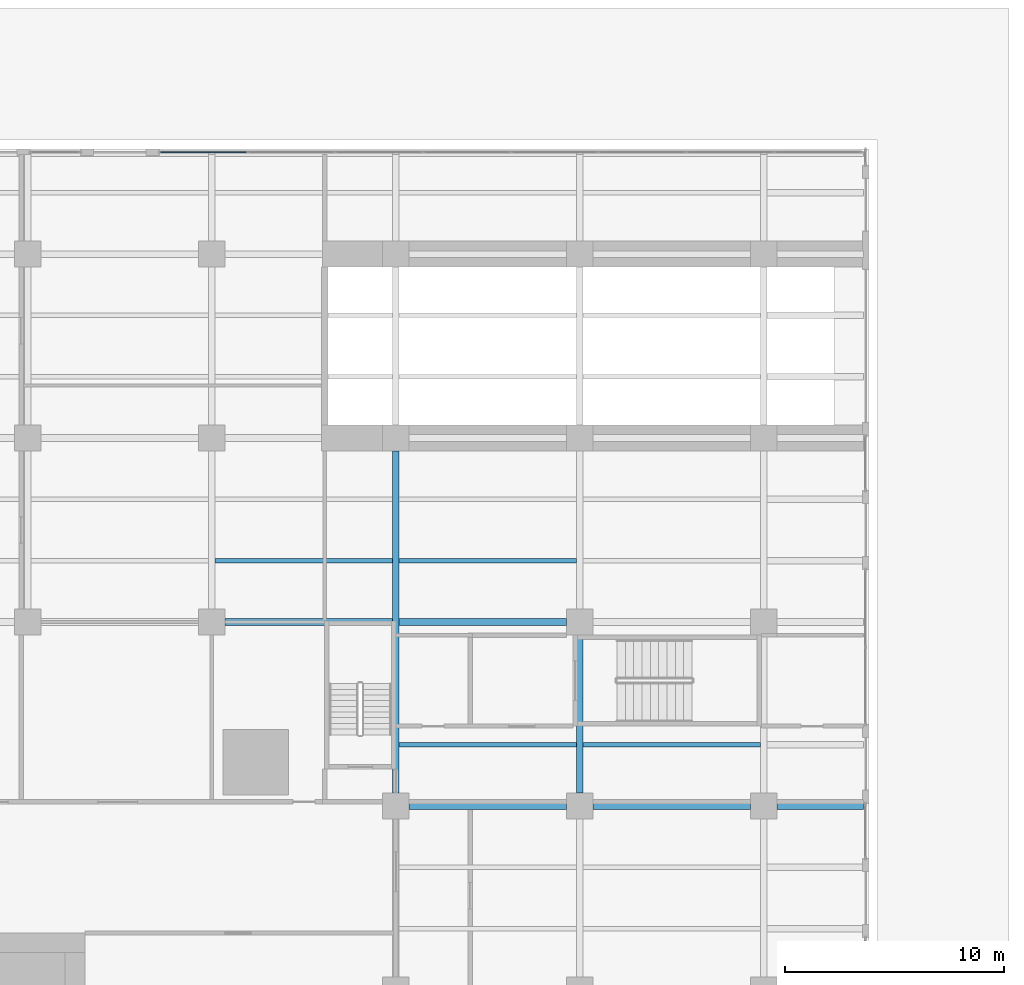
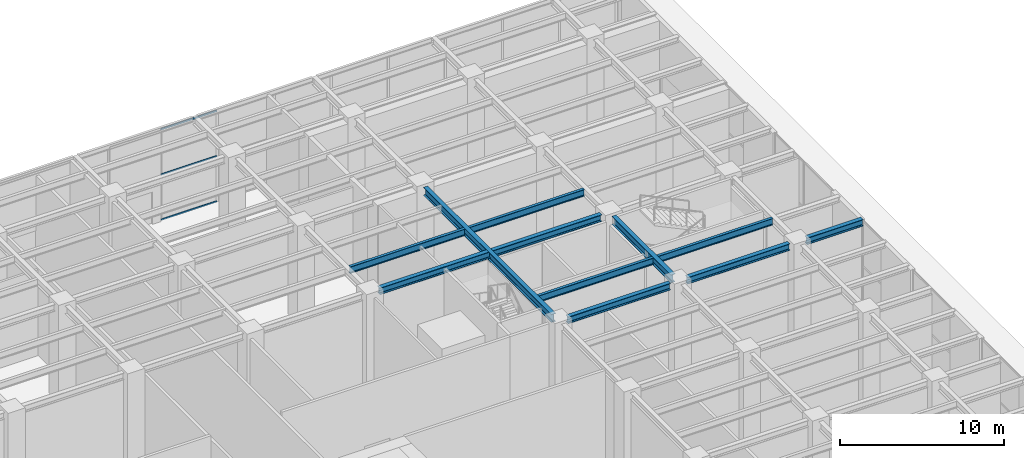
# One storey, part 20 of 43: 10 beams, 3 members, 1 element without a shape of its own.
"""IFC4 building model written with IfcOpenShell, lengths in metres."""

from ifc_helpers import new_model, si_unit, direction, frame, origin, origin_2d, place, context, subcontext, project, spatial, rectangle, i_section, extrude, material, material_profile, profile_set, type_object, element, aggregate, save


model = new_model("IFC4")

# Units and contexts
model_context = context("Model", 3, precision=1e-05, world=origin(), true_north=direction((0.0, 1.0)))
body_context = subcontext(model_context, "Body", "Model", "MODEL_VIEW")
ifc_project = project(units=[si_unit("LENGTHUNIT", "METRE"), si_unit("AREAUNIT", "SQUARE_METRE"), si_unit("VOLUMEUNIT", "CUBIC_METRE"), si_unit("PLANEANGLEUNIT", "RADIAN"), si_unit("MASSUNIT", "GRAM", prefix="KILO")], contexts=[model_context])

# Site, building, storey
site_placement = place(None, origin())
site = spatial("IfcSite", under=ifc_project, at=site_placement, CompositionType="ELEMENT")
building_placement = place(site_placement, origin())
building = spatial("IfcBuilding", under=site, at=building_placement, Name="Khepri Terraces", CompositionType="ELEMENT")
storey_placement = place(building_placement, origin())
storey = spatial("IfcBuildingStorey", under=building, at=storey_placement, Name="L00", CompositionType="ELEMENT", Elevation=0.0)

# Curtain wall, members
ifc_material_1 = material(Name="Anodised aluminium bronze curtain wall", Category="aluminium")
curtain_wall_type = type_object("IfcCurtainWallType", Name="CW-SYS1-LOBBY", PredefinedType="NOTDEFINED", material=ifc_material_1)
curtain_wall_placement = place(storey_placement, origin())
curtain_wall = element("IfcCurtainWall", 1, at=curtain_wall_placement, inside=storey, type_object=curtain_wall_type, Name="Curtain wall CW1 L00 N", PredefinedType="NOTDEFINED")
ifc_material_2 = material(Name="Anodised aluminium bronze", Category="aluminium")
ifc_material_profile_1 = material_profile(ifc_material_2, rectangle(XDim=0.06005859375, YDim=0.1201171875, at=origin_2d()), Name="Anodised aluminium bronze", Category="aluminium")
ifc_profile_set_1 = profile_set([ifc_material_profile_1], Name="Anodised aluminium bronze")
member_type = type_object("IfcMemberType", Name="CW-TRANSOM-60x120", PredefinedType="USERDEFINED", material=ifc_profile_set_1)
member_1_placement = place(storey_placement, frame((18.382568359375, 46.64990234375, 0.030029296875), z_axis=(-1.0, 0.0, 0.0), x_axis=(0.0, -1.0, 0.0)))
member_1 = element("IfcMember", 2, at=member_1_placement, type_object=member_type, Name="CW1 transom 8.1", ObjectType="TRANSOM", PredefinedType="USERDEFINED", context=body_context, shape_type="SweptSolid", body=[
    extrude(rectangle(XDim=0.06005859375, YDim=0.1201171875, at=origin_2d()), origin(), (0.0, 0.0, 1.0), 3.922607421875),
])
member_2_placement = place(storey_placement, frame((18.382568359375, 46.64990234375, 3.389892578125), z_axis=(-1.0, 0.0, 0.0), x_axis=(0.0, -1.0, 0.0)))
member_2 = element("IfcMember", 3, at=member_2_placement, type_object=member_type, Name="CW1 transom 8.2", ObjectType="TRANSOM", PredefinedType="USERDEFINED", context=body_context, shape_type="SweptSolid", body=[
    extrude(rectangle(XDim=0.06005859375, YDim=0.1201171875, at=origin_2d()), origin(), (0.0, 0.0, 1.0), 3.922607421875),
])
member_3_placement = place(storey_placement, frame((18.382568359375, 46.64990234375, 6.75), z_axis=(-1.0, 0.0, 0.0), x_axis=(0.0, -1.0, 0.0)))
member_3 = element("IfcMember", 4, at=member_3_placement, type_object=member_type, Name="CW1 transom 8.3", ObjectType="TRANSOM", PredefinedType="USERDEFINED", context=body_context, shape_type="SweptSolid", body=[
    extrude(rectangle(XDim=0.06005859375, YDim=0.1201171875, at=origin_2d()), origin(), (0.0, 0.0, 1.0), 3.922607421875),
])
aggregate(curtain_wall, [member_1, member_2, member_3])

# Beams
ifc_material_3 = material(Name="Steel S355", Category="steel")
ifc_material_profile_2 = material_profile(ifc_material_3, i_section(OverallWidth=0.300048828125, OverallDepth=0.60009765625, WebThickness=0.015380859375, FlangeThickness=0.030029296875, FilletRadius=0.027099609375, at=origin_2d()), Name="Steel S355", Category="steel")
ifc_profile_set_2 = profile_set([ifc_material_profile_2], Name="Steel S355")
beam_type_1 = type_object("IfcBeamType", Name="Podium girder L01 HEB 600", PredefinedType="BEAM", material=ifc_profile_set_2)
beam_1_placement = place(storey_placement, frame((25.199951171875, 17.39990234375, 6.699951171875), z_axis=(0.0, 1.0, 0.0), x_axis=(-1.0, 0.0, 0.0)))
element("IfcBeam", 5, at=beam_1_placement, inside=storey, type_object=beam_type_1, Name="Podium girder L01 072", PredefinedType="BEAM", context=body_context, shape_type="SweptSolid", body=[
    extrude(i_section(OverallWidth=0.300048828125, OverallDepth=0.60009765625, WebThickness=0.015380859375, FlangeThickness=0.030029296875, FilletRadius=0.027099609375, at=origin_2d()), origin(), (0.0, 0.0, 1.0), 15.60009765625),
])
beam_2_placement = place(storey_placement, frame((33.60009765625, 17.39990234375, 6.699951171875), z_axis=(0.0, 1.0, 0.0), x_axis=(-1.0, 0.0, 0.0)))
element("IfcBeam", 6, at=beam_2_placement, inside=storey, type_object=beam_type_1, Name="Podium girder L01 083", PredefinedType="BEAM", context=body_context, shape_type="SweptSolid", body=[
    extrude(i_section(OverallWidth=0.300048828125, OverallDepth=0.60009765625, WebThickness=0.015380859375, FlangeThickness=0.030029296875, FilletRadius=0.027099609375, at=origin_2d()), origin(), (0.0, 0.0, 1.0), 7.2001953125),
])
ifc_material_profile_3 = material_profile(ifc_material_3, i_section(OverallWidth=0.300048828125, OverallDepth=0.5, WebThickness=0.014404296875, FlangeThickness=0.028076171875, FilletRadius=0.027099609375, at=origin_2d()), Name="Steel S355", Category="steel")
ifc_profile_set_3 = profile_set([ifc_material_profile_3], Name="Steel S355")
beam_type_2 = type_object("IfcBeamType", Name="Podium girder L01 grid line HEB 500", PredefinedType="BEAM", material=ifc_profile_set_3)
for number, where, z_axis, x_axis, name in (
    (7, (25.800048828125, 16.800048828125, 6.75), (1.0, 0.0, 0.0), (0.0, 1.0, 0.0), "Podium grid-line girder L01 176"),
    (8, (34.199951171875, 16.800048828125, 6.75), (1.0, 0.0, 0.0), (0.0, 1.0, 0.0), "Podium grid-line girder L01 177"),
):
    element("IfcBeam", number, at=place(storey_placement, frame(where, z_axis=z_axis, x_axis=x_axis)), inside=storey, type_object=beam_type_2, Name=name, PredefinedType="BEAM", context=body_context, shape_type="SweptSolid", body=[
        extrude(i_section(OverallWidth=0.300048828125, OverallDepth=0.5, WebThickness=0.014404296875, FlangeThickness=0.028076171875, FilletRadius=0.027099609375, at=origin_2d()), origin(), (0.0, 0.0, 1.0), 7.199951171875),
    ])
beam_3_placement = place(storey_placement, frame((42.60009765625, 16.800048828125, 6.75), z_axis=(1.0, 0.0, 0.0), x_axis=(0.0, 1.0, 0.0)))
element("IfcBeam", 9, at=beam_3_placement, inside=storey, type_object=beam_type_2, Name="Podium grid-line girder L01 178", PredefinedType="BEAM", context=body_context, shape_type="SweptSolid", body=[
    extrude(i_section(OverallWidth=0.300048828125, OverallDepth=0.5, WebThickness=0.014404296875, FlangeThickness=0.028076171875, FilletRadius=0.027099609375, at=origin_2d()), origin(), (0.0, 0.0, 1.0), 3.949951171875),
])
beam_4_placement = place(storey_placement, frame((17.39990234375, 25.199951171875, 6.75), z_axis=(1.0, 0.0, 0.0), x_axis=(0.0, 1.0, 0.0)))
element("IfcBeam", 10, at=beam_4_placement, inside=storey, type_object=beam_type_2, Name="Podium grid-line girder L01 192", PredefinedType="BEAM", context=body_context, shape_type="SweptSolid", body=[
    extrude(i_section(OverallWidth=0.300048828125, OverallDepth=0.5, WebThickness=0.014404296875, FlangeThickness=0.028076171875, FilletRadius=0.027099609375, at=origin_2d()), origin(), (0.0, 0.0, 1.0), 15.60009765625),
])
ifc_material_profile_4 = material_profile(ifc_material_3, i_section(OverallWidth=0.199951171875, OverallDepth=0.5, WebThickness=0.01025390625, FlangeThickness=0.01611328125, FilletRadius=0.02099609375, at=origin_2d()), Name="Steel S355", Category="steel")
ifc_profile_set_4 = profile_set([ifc_material_profile_4], Name="Steel S355")
beam_type_3 = type_object("IfcBeamType", Name="Podium joist L01 IPE 500", PredefinedType="JOIST", material=ifc_profile_set_4)
beam_5_placement = place(storey_placement, frame((25.35009765625, 19.60009765625, 6.75), z_axis=(1.0, 0.0, 0.0), x_axis=(0.0, 1.0, 0.0)))
element("IfcBeam", 11, at=beam_5_placement, inside=storey, type_object=beam_type_3, Name="Podium joist L01 182", PredefinedType="JOIST", context=body_context, shape_type="SweptSolid", body=[
    extrude(i_section(OverallWidth=0.199951171875, OverallDepth=0.5, WebThickness=0.01025390625, FlangeThickness=0.01611328125, FilletRadius=0.02099609375, at=origin_2d()), origin(), (0.0, 0.0, 1.0), 8.099853515625),
])
for number, where, z_axis, x_axis, name in (
    (12, (33.75, 19.60009765625, 6.75), (1.0, 0.0, 0.0), (0.0, 1.0, 0.0), "Podium joist L01 183"),
    (13, (16.949951171875, 28.0, 6.75), (1.0, 0.0, 0.0), (0.0, 1.0, 0.0), "Podium joist L01 203"),
):
    element("IfcBeam", number, at=place(storey_placement, frame(where, z_axis=z_axis, x_axis=x_axis)), inside=storey, type_object=beam_type_3, Name=name, PredefinedType="JOIST", context=body_context, shape_type="SweptSolid", body=[
        extrude(i_section(OverallWidth=0.199951171875, OverallDepth=0.5, WebThickness=0.01025390625, FlangeThickness=0.01611328125, FilletRadius=0.02099609375, at=origin_2d()), origin(), (0.0, 0.0, 1.0), 8.10009765625),
    ])
beam_6_placement = place(storey_placement, frame((25.35009765625, 28.0, 6.75), z_axis=(1.0, 0.0, 0.0), x_axis=(0.0, 1.0, 0.0)))
element("IfcBeam", 14, at=beam_6_placement, inside=storey, type_object=beam_type_3, Name="Podium joist L01 204", PredefinedType="JOIST", context=body_context, shape_type="SweptSolid", body=[
    extrude(i_section(OverallWidth=0.199951171875, OverallDepth=0.5, WebThickness=0.01025390625, FlangeThickness=0.01611328125, FilletRadius=0.02099609375, at=origin_2d()), origin(), (0.0, 0.0, 1.0), 8.099853515625),
])

save(model, "model.ifc")
